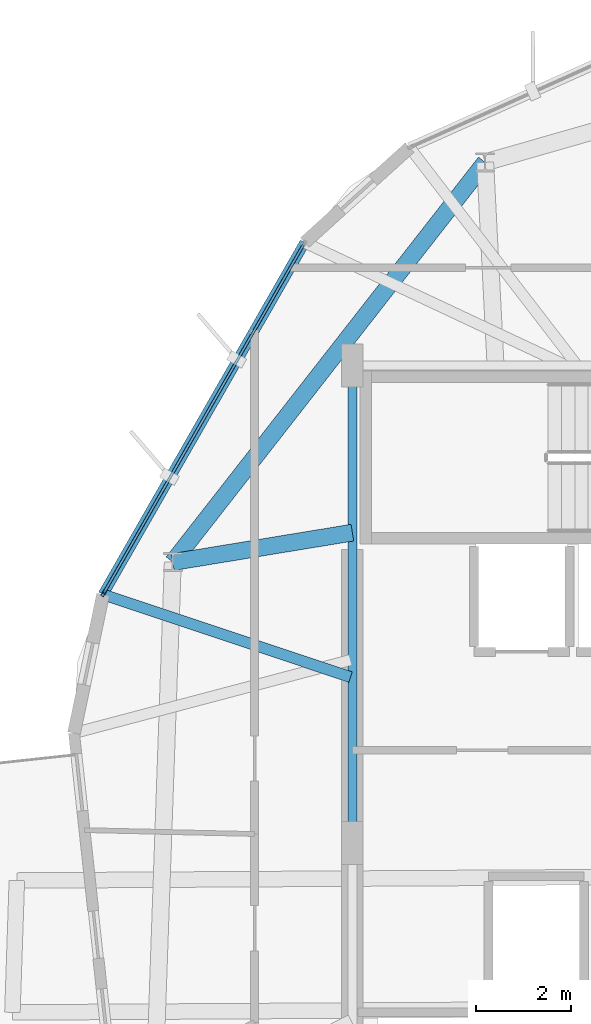
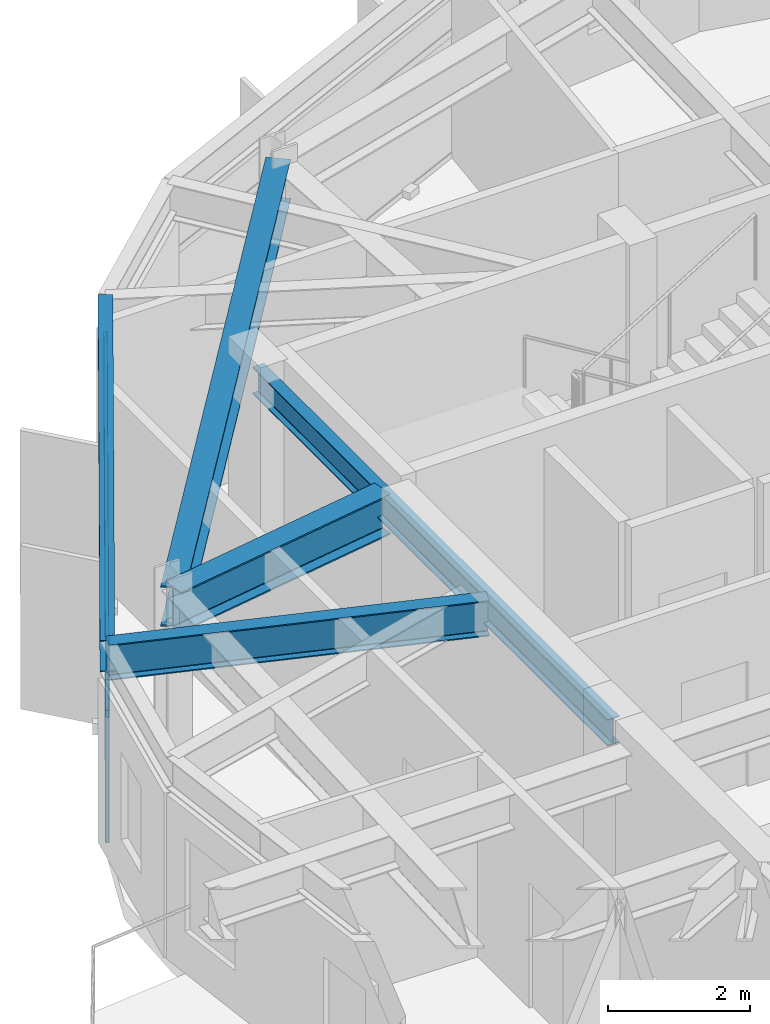
# One storey, part 8 of 23: 5 beams, 4 members, 1 element without a shape of its own.
"""IFC4 building model written with IfcOpenShell, lengths in metres."""

from ifc_helpers import new_model, si_unit, direction, frame, origin, origin_2d, place, context, subcontext, project, spatial, hollow_rectangle, i_section, extrude, material, layer, layer_set, material_profile, profile_set, type_object, element, aggregate, save


model = new_model("IFC4")

# Units and contexts
model_context = context("Model", 3, precision=1e-05, world=origin(), true_north=direction((0.0, 1.0)))
body_context = subcontext(model_context, "Body", "Model", "MODEL_VIEW")
ifc_project = project(units=[si_unit("LENGTHUNIT", "METRE"), si_unit("AREAUNIT", "SQUARE_METRE"), si_unit("VOLUMEUNIT", "CUBIC_METRE"), si_unit("PLANEANGLEUNIT", "RADIAN"), si_unit("MASSUNIT", "GRAM", prefix="KILO")], contexts=[model_context])

# Site, building, storey
site_placement = place(None, origin())
site = spatial("IfcSite", under=ifc_project, at=site_placement, CompositionType="ELEMENT")
building_placement = place(site_placement, origin())
building = spatial("IfcBuilding", under=site, at=building_placement, Name="Soratama Intermodal Tower", CompositionType="ELEMENT")
storey_placement = place(building_placement, frame((0.0, 0.0, 253.75)))
storey = spatial("IfcBuildingStorey", under=building, at=storey_placement, Name="L64", CompositionType="ELEMENT", Elevation=253.75)

# Beams
ifc_material_1 = material(Name="Structural steel ASTM A992 Grade 50", Category="steel")
ifc_material_profile_1 = material_profile(ifc_material_1, i_section(OverallWidth=0.19091796875, OverallDepth=0.4599609375, WebThickness=0.010009765625, FlangeThickness=0.01611328125, FilletRadius=0.010986328125, at=origin_2d()), Name="W18X55")
ifc_profile_set_1 = profile_set([ifc_material_profile_1], Name="Structural steel ASTM A992 Grade 50")
beam_type_1 = type_object("IfcBeamType", Name="BM-FLR-W18X55", PredefinedType="BEAM", material=ifc_profile_set_1)
beam_1_placement = place(storey_placement, frame((32.60009765625, 35.0, 3.219970703125), z_axis=(0.0, -1.0, 0.0), x_axis=(1.0, 0.0, 0.0)))
element("IfcBeam", 1, at=beam_1_placement, inside=storey, type_object=beam_type_1, Name="BM-L64-CRING-08", PredefinedType="BEAM", context=body_context, shape_type="SweptSolid", body=[
    extrude(i_section(OverallWidth=0.19091796875, OverallDepth=0.4599609375, WebThickness=0.010009765625, FlangeThickness=0.01611328125, FilletRadius=0.010986328125, at=origin_2d()), origin(), (0.0, 0.0, 1.0), 10.0),
])
ifc_material_2 = material(Name="Structural steel ASTM A992 Grade 50", Category="steel")
ifc_material_profile_2 = material_profile(ifc_material_2, i_section(OverallWidth=0.35498046875, OverallDepth=0.695068359375, WebThickness=0.015380859375, FlangeThickness=0.02490234375, FilletRadius=0.01611328125, at=origin_2d()), Name="W27X146")
ifc_profile_set_2 = profile_set([ifc_material_profile_2], Name="Structural steel ASTM A992 Grade 50")
beam_type_2 = type_object("IfcBeamType", Name="BM-RING-W27X146", PredefinedType="BEAM", material=ifc_profile_set_2)
beam_2_placement = place(storey_placement, frame((35.382080078125, 39.259033203125, 3.1025390625), z_axis=(-0.6157278291, -0.787958907858, 0.0), x_axis=(0.787958907858, -0.6157278291, 0.0)))
element("IfcBeam", 2, at=beam_2_placement, inside=storey, type_object=beam_type_2, Name="BM-L64-RING-04", PredefinedType="BEAM", context=body_context, shape_type="SweptSolid", body=[
    extrude(i_section(OverallWidth=0.35498046875, OverallDepth=0.695068359375, WebThickness=0.015380859375, FlangeThickness=0.02490234375, FilletRadius=0.01611328125, at=origin_2d()), origin(), (0.0, 0.0, 1.0), 10.6298828125),
])
beam_3_placement = place(storey_placement, frame((32.60009765625, 31.5, 3.1025390625), z_axis=(-0.986826492219, -0.161782181513, 0.0), x_axis=(0.161782181513, -0.986826492219, 0.0)))
element("IfcBeam", 3, at=beam_3_placement, inside=storey, type_object=beam_type_2, Name="BM-L64-RAD-05", PredefinedType="BEAM", context=body_context, shape_type="SweptSolid", body=[
    extrude(i_section(OverallWidth=0.35498046875, OverallDepth=0.695068359375, WebThickness=0.015380859375, FlangeThickness=0.02490234375, FilletRadius=0.01611328125, at=origin_2d()), origin(), (0.0, 0.0, 1.0), 3.8134765625),
])
ifc_material_3 = material(Name="Structural steel ASTM A992 Grade 50", Category="steel")
ifc_material_profile_3 = material_profile(ifc_material_3, i_section(OverallWidth=0.2099609375, OverallDepth=0.537109375, WebThickness=0.010986328125, FlangeThickness=0.017333984375, FilletRadius=0.012939453125, at=origin_2d()), Name="W21X68")
ifc_profile_set_3 = profile_set([ifc_material_profile_3], Name="Structural steel ASTM A992 Grade 50")
beam_type_3 = type_object("IfcBeamType", Name="BM-SPN-W21X68", PredefinedType="SPANDREL", material=ifc_profile_set_3)
beam_4_placement = place(storey_placement, frame((31.60107421875, 37.577880859375, 3.181396484375), z_axis=(-0.497332516205, -0.867560008487, 0.0), x_axis=(0.867560008487, -0.497332516205, 0.0)))
element("IfcBeam", 4, at=beam_4_placement, inside=storey, type_object=beam_type_3, Name="BS-L64-F03", PredefinedType="SPANDREL", context=body_context, shape_type="SweptSolid", body=[
    extrude(i_section(OverallWidth=0.2099609375, OverallDepth=0.537109375, WebThickness=0.010986328125, FlangeThickness=0.017333984375, FilletRadius=0.012939453125, at=origin_2d()), origin(), (0.0, 0.0, 1.0), 8.49951171875),
])
ifc_material_4 = material(Name="Structural steel ASTM A992 Grade 50", Category="steel")
ifc_material_profile_4 = material_profile(ifc_material_4, i_section(OverallWidth=0.22900390625, OverallDepth=0.612060546875, WebThickness=0.011962890625, FlangeThickness=0.01953125, FilletRadius=0.012939453125, at=origin_2d()), Name="W24X84")
ifc_profile_set_4 = profile_set([ifc_material_profile_4], Name="Structural steel ASTM A992 Grade 50")
beam_type_4 = type_object("IfcBeamType", Name="BM-TIE-W24X84", PredefinedType="BEAM", material=ifc_profile_set_4)
beam_5_placement = place(storey_placement, frame((32.56201171875, 28.472900390625, 3.14404296875), z_axis=(-0.948580578152, 0.316535759043, 0.0), x_axis=(-0.316535759043, -0.948580578152, 0.0)))
element("IfcBeam", 5, at=beam_5_placement, inside=storey, type_object=beam_type_4, Name="BM-L64-TIE1-03", PredefinedType="BEAM", context=body_context, shape_type="SweptSolid", body=[
    extrude(i_section(OverallWidth=0.22900390625, OverallDepth=0.612060546875, WebThickness=0.011962890625, FlangeThickness=0.01953125, FilletRadius=0.012939453125, at=origin_2d()), origin(), (0.0, 0.0, 1.0), 5.46923828125),
])

# Curtain wall, members
ifc_material_5 = material(Name="Double-glazed aluminium curtain wall", Category="aluminium")
ifc_layer = layer(ifc_material_5, 0.159912109375)
ifc_layer_set = layer_set([ifc_layer], Name="Double-glazed aluminium curtain wall")
curtain_wall_type = type_object("IfcCurtainWallType", Name="CW-SYS-5", PredefinedType="NOTDEFINED", material=ifc_layer_set)
curtain_wall_placement = place(storey_placement, origin())
curtain_wall = element("IfcCurtainWall", 6, at=curtain_wall_placement, inside=storey, type_object=curtain_wall_type, Name="L64 Faceted Curtain Wall F03", PredefinedType="NOTDEFINED")
ifc_material_6 = material(Name="Anodised aluminium AA 6063-T6", Category="aluminium")
ifc_material_profile_5 = material_profile(ifc_material_6, hollow_rectangle(XDim=0.06494140625, YDim=0.139892578125, WallThickness=0.0048828125, InnerFilletRadius=0.0048828125, OuterFilletRadius=0.010009765625, at=origin_2d()), Name="CWM140X65X5")
ifc_profile_set_5 = profile_set([ifc_material_profile_5], Name="Anodised aluminium AA 6063-T6")
member_type_1 = type_object("IfcMemberType", Name="MT-CWM-5", PredefinedType="MULLION", material=ifc_profile_set_5)
member_1_placement = place(storey_placement, frame((27.38916015625, 30.230224609375, 0.0), z_axis=(0.0, 0.0, 1.0), x_axis=(0.867587889524, -0.497283876625, 0.0)))
member_1 = element("IfcMember", 7, at=member_1_placement, type_object=member_type_1, Name="CW-5 mullion 2", PredefinedType="MULLION", context=body_context, shape_type="SweptSolid", body=[
    extrude(hollow_rectangle(XDim=0.06494140625, YDim=0.139892578125, WallThickness=0.0048828125, InnerFilletRadius=0.0048828125, OuterFilletRadius=0.010009765625, at=origin_2d()), origin(), (0.0, 0.0, 1.0), 2.8291015625),
])
ifc_material_7 = material(Name="Anodised aluminium AA 6063-T6", Category="aluminium")
ifc_material_profile_6 = material_profile(ifc_material_7, hollow_rectangle(XDim=0.06005859375, YDim=0.1298828125, WallThickness=0.0048828125, InnerFilletRadius=0.0048828125, OuterFilletRadius=0.010009765625, at=origin_2d()), Name="CWT130X60X5")
ifc_profile_set_6 = profile_set([ifc_material_profile_6], Name="Anodised aluminium AA 6063-T6")
member_type_2 = type_object("IfcMemberType", Name="TT-CWT-2", PredefinedType="USERDEFINED", material=ifc_profile_set_6)
member_2_placement = place(storey_placement, frame((31.571044921875, 37.5263671875, 0.030029296875), z_axis=(-0.497268041572, -0.867596965665, 0.0), x_axis=(0.867596965665, -0.497268041572, 0.0)))
member_2 = element("IfcMember", 8, at=member_2_placement, type_object=member_type_2, Name="CW-5 transom 1.1", ObjectType="TRANSOM", PredefinedType="USERDEFINED", context=body_context, shape_type="SweptSolid", body=[
    extrude(hollow_rectangle(XDim=0.06005859375, YDim=0.1298828125, WallThickness=0.0048828125, InnerFilletRadius=0.0048828125, OuterFilletRadius=0.010009765625, at=origin_2d()), origin(), (0.0, 0.0, 1.0), 8.3798828125),
])
member_3_placement = place(storey_placement, frame((31.571044921875, 37.5263671875, 2.14990234375), z_axis=(-0.497268041572, -0.867596965665, 0.0), x_axis=(0.867596965665, -0.497268041572, 0.0)))
member_3 = element("IfcMember", 9, at=member_3_placement, type_object=member_type_2, Name="CW-5 transom 1.2", ObjectType="TRANSOM", PredefinedType="USERDEFINED", context=body_context, shape_type="SweptSolid", body=[
    extrude(hollow_rectangle(XDim=0.06005859375, YDim=0.1298828125, WallThickness=0.0048828125, InnerFilletRadius=0.0048828125, OuterFilletRadius=0.010009765625, at=origin_2d()), origin(), (0.0, 0.0, 1.0), 8.3798828125),
])
member_4_placement = place(storey_placement, frame((31.571044921875, 37.5263671875, 2.799072265625), z_axis=(-0.497268041572, -0.867596965665, 0.0), x_axis=(0.867596965665, -0.497268041572, 0.0)))
member_4 = element("IfcMember", 10, at=member_4_placement, type_object=member_type_2, Name="CW-5 transom 1.3", ObjectType="TRANSOM", PredefinedType="USERDEFINED", context=body_context, shape_type="SweptSolid", body=[
    extrude(hollow_rectangle(XDim=0.06005859375, YDim=0.1298828125, WallThickness=0.0048828125, InnerFilletRadius=0.0048828125, OuterFilletRadius=0.010009765625, at=origin_2d()), origin(), (0.0, 0.0, 1.0), 8.3798828125),
])
aggregate(curtain_wall, [member_1, member_2, member_3, member_4])

save(model, "model.ifc")
